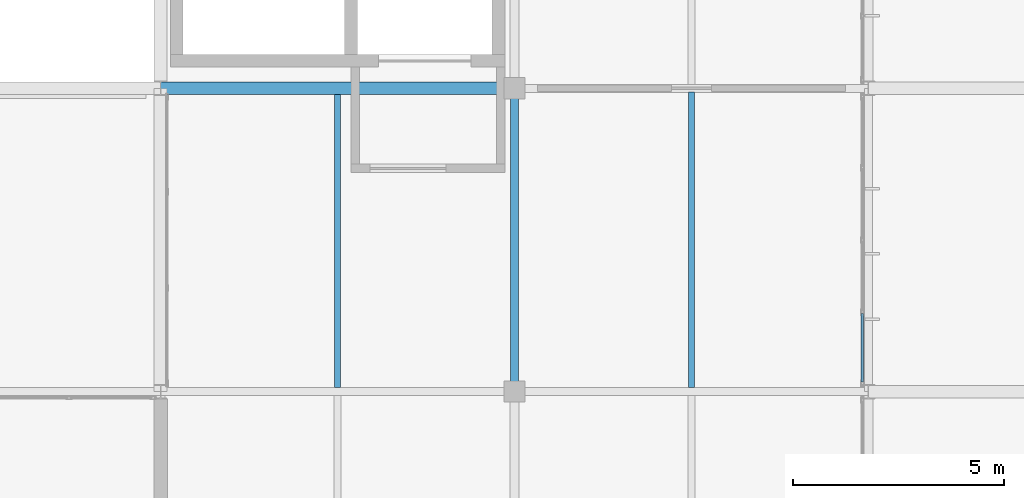
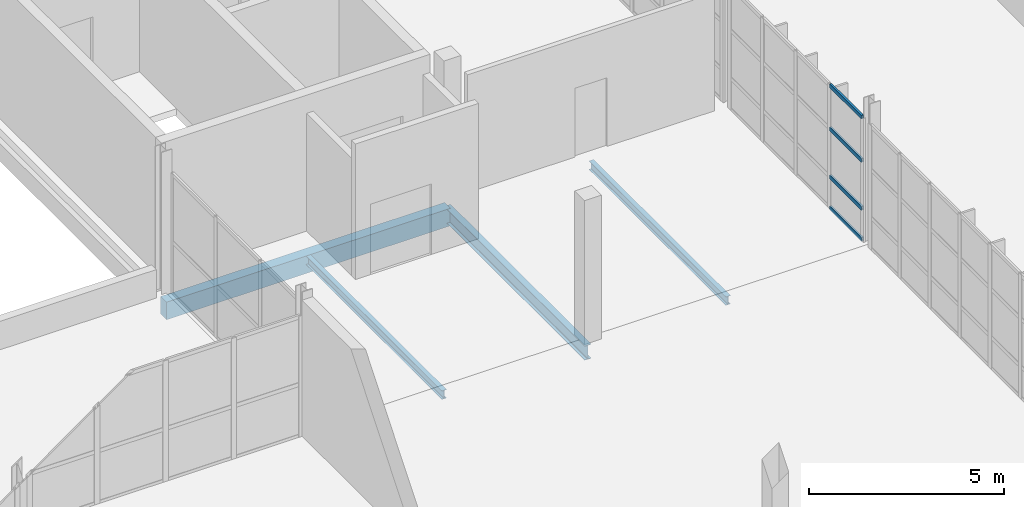
# One storey, part 75 of 103: 4 beams, 4 members, 1 element without a shape of its own.
"""IFC4 building model written with IfcOpenShell, lengths in metres."""

from ifc_helpers import new_model, si_unit, direction, frame, origin, origin_2d, place, context, subcontext, project, spatial, rectangle, hollow_rectangle, i_section, extrude, material, material_profile, profile_set, type_object, element, aggregate, save


model = new_model("IFC4")

# Units and contexts
model_context = context("Model", 3, precision=1e-05, world=origin(), true_north=direction((0.0, 1.0)))
body_context = subcontext(model_context, "Body", "Model", "MODEL_VIEW")
ifc_project = project(units=[si_unit("LENGTHUNIT", "METRE"), si_unit("AREAUNIT", "SQUARE_METRE"), si_unit("VOLUMEUNIT", "CUBIC_METRE"), si_unit("PLANEANGLEUNIT", "RADIAN"), si_unit("MASSUNIT", "GRAM", prefix="KILO")], contexts=[model_context])

# Site, building, storey
site_placement = place(None, origin())
site = spatial("IfcSite", under=ifc_project, at=site_placement, CompositionType="ELEMENT")
building_placement = place(site_placement, origin())
building = spatial("IfcBuilding", under=site, at=building_placement, Name="Veltarok Museum of Natural Sciences", CompositionType="ELEMENT")
storey_placement = place(building_placement, frame((0.0, 0.0, 21.89990234375)))
storey = spatial("IfcBuildingStorey", under=building, at=storey_placement, Name="L04", CompositionType="ELEMENT", Elevation=21.89990234375)

# Curtain wall, members
ifc_material_1 = material(Name="Low-iron triple insulated glass", Category="glass")
curtain_wall_type = type_object("IfcCurtainWallType", Name="Curtain Wall System CW-V5E-L04-C-686x388 (V5 East Lab L04 C-D 686x388cm)", PredefinedType="NOTDEFINED", material=ifc_material_1)
curtain_wall_placement = place(storey_placement, origin())
curtain_wall = element("IfcCurtainWall", 1, at=curtain_wall_placement, inside=storey, type_object=curtain_wall_type, Name="Curtain Wall CW-V5E-L04-C-686x388 CW-0122", PredefinedType="NOTDEFINED")
ifc_material_2 = material(Name="Thermally broken anodised aluminium", Category="aluminium")
ifc_material_profile_1 = material_profile(ifc_material_2, hollow_rectangle(XDim=0.06005859375, YDim=0.1201171875, WallThickness=0.0048828125, at=origin_2d()), Name="CW TRANSOM 60x120x5")
ifc_profile_set_1 = profile_set([ifc_material_profile_1], Name="Thermally broken anodised aluminium")
member_type = type_object("IfcMemberType", Name="Curtain Wall Horizontal Transom 60x120x5", PredefinedType="USERDEFINED", material=ifc_profile_set_1)
member_1_placement = place(storey_placement, frame((149.050048828125, 19.429931640625, 0.030029296875), z_axis=(0.0, 1.0, 0.0), x_axis=(-1.0, 0.0, 0.0)))
member_1 = element("IfcMember", 2, at=member_1_placement, type_object=member_type, Name="CW-V5E-L04-C-686x388 transom 1.1", ObjectType="TRANSOM", PredefinedType="USERDEFINED", context=body_context, shape_type="SweptSolid", body=[
    extrude(hollow_rectangle(XDim=0.06005859375, YDim=0.1201171875, WallThickness=0.0048828125, at=origin_2d()), origin(), (0.0, 0.0, 1.0), 1.625),
])
member_2_placement = place(storey_placement, frame((149.050048828125, 19.429931640625, 1.0), z_axis=(0.0, 1.0, 0.0), x_axis=(-1.0, 0.0, 0.0)))
member_2 = element("IfcMember", 3, at=member_2_placement, type_object=member_type, Name="CW-V5E-L04-C-686x388 transom 1.2", ObjectType="TRANSOM", PredefinedType="USERDEFINED", context=body_context, shape_type="SweptSolid", body=[
    extrude(hollow_rectangle(XDim=0.06005859375, YDim=0.1201171875, WallThickness=0.0048828125, at=origin_2d()), origin(), (0.0, 0.0, 1.0), 1.625),
])
member_3_placement = place(storey_placement, frame((149.050048828125, 19.429931640625, 2.5), z_axis=(0.0, 1.0, 0.0), x_axis=(-1.0, 0.0, 0.0)))
member_3 = element("IfcMember", 4, at=member_3_placement, type_object=member_type, Name="CW-V5E-L04-C-686x388 transom 1.3", ObjectType="TRANSOM", PredefinedType="USERDEFINED", context=body_context, shape_type="SweptSolid", body=[
    extrude(hollow_rectangle(XDim=0.06005859375, YDim=0.1201171875, WallThickness=0.0048828125, at=origin_2d()), origin(), (0.0, 0.0, 1.0), 1.625),
])
member_4_placement = place(storey_placement, frame((149.050048828125, 19.429931640625, 3.85009765625), z_axis=(0.0, 1.0, 0.0), x_axis=(-1.0, 0.0, 0.0)))
member_4 = element("IfcMember", 5, at=member_4_placement, type_object=member_type, Name="CW-V5E-L04-C-686x388 transom 1.4", ObjectType="TRANSOM", PredefinedType="USERDEFINED", context=body_context, shape_type="SweptSolid", body=[
    extrude(hollow_rectangle(XDim=0.06005859375, YDim=0.1201171875, WallThickness=0.0048828125, at=origin_2d()), origin(), (0.0, 0.0, 1.0), 1.625),
])
aggregate(curtain_wall, [member_1, member_2, member_3, member_4])

# Beams
ifc_material_3 = material(Name="Precast concrete C40/50", Category="concrete")
ifc_material_profile_2 = material_profile(ifc_material_3, rectangle(XDim=0.300048828125, YDim=0.550048828125, at=origin_2d()), Name="RC 300x550")
ifc_profile_set_2 = profile_set([ifc_material_profile_2], Name="Precast concrete C40/50")
beam_type_1 = type_object("IfcBeamType", Name="East Wing Precast Spandrel RC 300x550", PredefinedType="SPANDREL", material=ifc_profile_set_2)
beam_1_placement = place(storey_placement, frame((132.39990234375, 26.39990234375, -0.52490234375), z_axis=(1.0, 0.0, 0.0), x_axis=(0.0, 1.0, 0.0)))
element("IfcBeam", 6, at=beam_1_placement, inside=storey, type_object=beam_type_1, Name="Beam BM-SP02 L04 16-17/D", PredefinedType="SPANDREL", context=body_context, shape_type="SweptSolid", body=[
    extrude(rectangle(XDim=0.300048828125, YDim=0.550048828125, at=origin_2d()), origin(), (0.0, 0.0, 1.0), 8.400146484375),
])
ifc_material_4 = material(Name="Steel S355J2", Category="steel")
ifc_material_profile_3 = material_profile(ifc_material_4, i_section(OverallWidth=0.18994140625, OverallDepth=0.449951171875, WebThickness=0.009521484375, FlangeThickness=0.0146484375, FilletRadius=0.02099609375, at=origin_2d()), Name="IPE 450")
ifc_profile_set_3 = profile_set([ifc_material_profile_3], Name="Steel S355J2")
beam_type_2 = type_object("IfcBeamType", Name="Laboratory Floor Girder IPE 450", PredefinedType="BEAM", material=ifc_profile_set_3)
beam_2_placement = place(storey_placement, frame((140.800048828125, 19.199951171875, -0.474853515625), z_axis=(0.0, 1.0, 0.0), x_axis=(-1.0, 0.0, 0.0)))
element("IfcBeam", 7, at=beam_2_placement, inside=storey, type_object=beam_type_2, Name="Beam BM-G05 L04 17/C-D", PredefinedType="BEAM", context=body_context, shape_type="SweptSolid", body=[
    extrude(i_section(OverallWidth=0.18994140625, OverallDepth=0.449951171875, WebThickness=0.009521484375, FlangeThickness=0.0146484375, FilletRadius=0.02099609375, at=origin_2d()), origin(), (0.0, 0.0, 1.0), 7.199951171875),
])
ifc_material_profile_4 = material_profile(ifc_material_4, i_section(OverallWidth=0.135009765625, OverallDepth=0.27001953125, WebThickness=0.006591796875, FlangeThickness=0.01025390625, FilletRadius=0.014892578125, at=origin_2d()), Name="IPE 270")
ifc_profile_set_4 = profile_set([ifc_material_profile_4], Name="Steel S355J2")
beam_type_3 = type_object("IfcBeamType", Name="Short-Bay Composite Joist IPE 270", PredefinedType="JOIST", material=ifc_profile_set_4)
beam_3_placement = place(storey_placement, frame((136.60009765625, 19.29296875, -0.385009765625), z_axis=(0.0, 1.0, 0.0), x_axis=(-1.0, 0.0, 0.0)))
element("IfcBeam", 8, at=beam_3_placement, inside=storey, type_object=beam_type_3, Name="Secondary Joist BM-J04 L04 16-17/C-D.1", PredefinedType="JOIST", context=body_context, shape_type="SweptSolid", body=[
    extrude(i_section(OverallWidth=0.135009765625, OverallDepth=0.27001953125, WebThickness=0.006591796875, FlangeThickness=0.01025390625, FilletRadius=0.014892578125, at=origin_2d()), origin(), (0.0, 0.0, 1.0), 6.958984375),
])
beam_4_placement = place(storey_placement, frame((145.0, 19.29296875, -0.385009765625), z_axis=(0.0, 1.0, 0.0), x_axis=(-1.0, 0.0, 0.0)))
element("IfcBeam", 9, at=beam_4_placement, inside=storey, type_object=beam_type_3, Name="Secondary Joist BM-J04 L04 17-18/C-D.1", PredefinedType="JOIST", context=body_context, shape_type="SweptSolid", body=[
    extrude(i_section(OverallWidth=0.135009765625, OverallDepth=0.27001953125, WebThickness=0.006591796875, FlangeThickness=0.01025390625, FilletRadius=0.014892578125, at=origin_2d()), origin(), (0.0, 0.0, 1.0), 7.013916015625),
])

save(model, "model.ifc")
